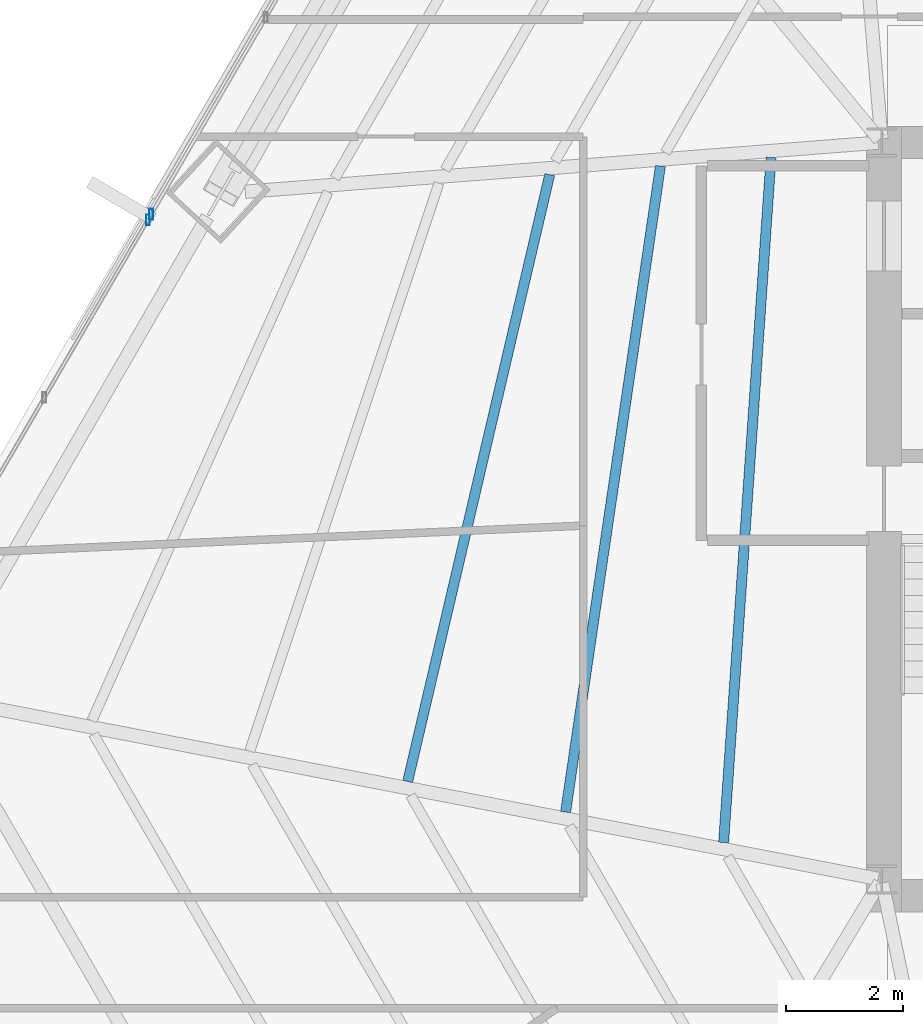
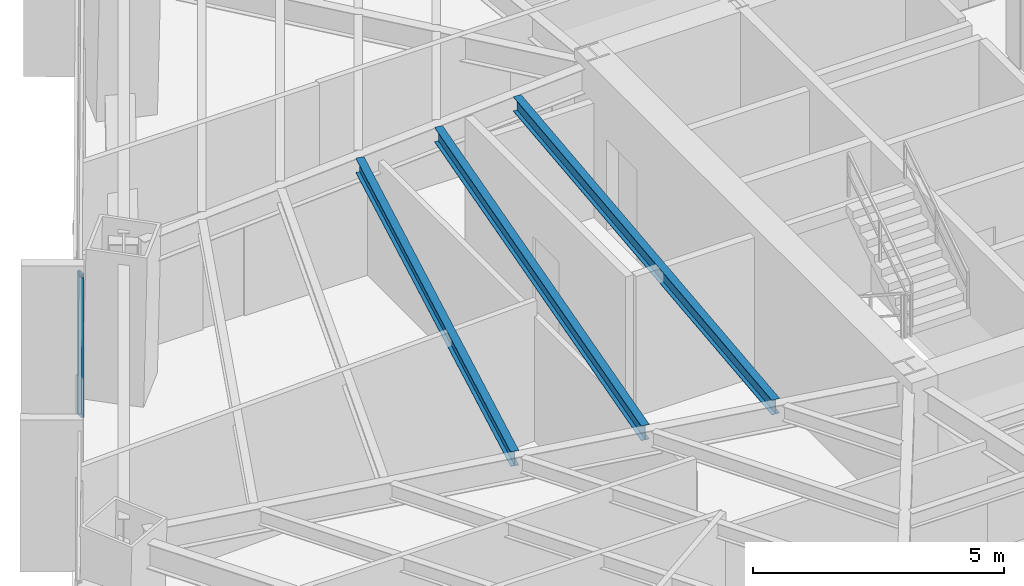
# One storey, part 9 of 33: 3 beams, 2 members, 2 elements without a shape of their own.
"""IFC4 building model written with IfcOpenShell, lengths in metres."""

import ifcopenshell
import ifcopenshell.guid

model = None  # the IFC model being written
_history = None  # IfcOwnerHistory: only IFC2X3 demands one
_inside = {}  # id of a spatial element -> (the spatial element, [elements in it])
_under = {}  # id of a project, library or spatial element -> (it, [spatial elements below it])
_declared = {}  # id of a project -> (the project, [libraries it declares])
_typed = {}  # id of a type object -> (the type object, [elements of that type])
_made_of = {}  # id of a material, layer set ... -> (it, [elements and type objects made of it])


def new_model(schema):
    """Start an empty IFC model of exactly this schema.

    Asked for "IFC4X3", IfcOpenShell would pick the latest addendum, in which some entities
    have other attributes; the version numbers below select the first issue.
    IFC2X3 requires an IfcOwnerHistory on every rooted entity: one is made here for all.
    """
    global model, _history
    if schema == "IFC4X3":
        model = ifcopenshell.file(schema_version=(4, 3, 0, 0))
    else:
        model = ifcopenshell.file(schema=schema)
    _inside.clear()
    _under.clear()
    _declared.clear()
    _typed.clear()
    _made_of.clear()
    _history = None
    if model.schema == "IFC2X3":
        org = make("IfcOrganization", Name="unknown")
        user = make(
            "IfcPersonAndOrganization",
            ThePerson=make("IfcPerson", FamilyName="unknown"),
            TheOrganization=org,
        )
        app = make(
            "IfcApplication",
            ApplicationDeveloper=org,
            Version="unknown",
            ApplicationFullName="unknown",
            ApplicationIdentifier="unknown",
        )
        _history = make(
            "IfcOwnerHistory",
            OwningUser=user,
            OwningApplication=app,
            ChangeAction="ADDED",
            CreationDate=0,
        )
    return model


def make(cls, **values):
    """One entity of the class cls with the attributes given. An attribute that is None is left unset."""
    return model.create_entity(
        cls, **{name: value for name, value in values.items() if value is not None}
    )


def rooted(cls, **values):
    """An entity with a GlobalId (a new one), such as an element, a storey or a relation."""
    return make(cls, GlobalId=ifcopenshell.guid.new(), OwnerHistory=_history, **values)


def si_unit(unit_type, name, prefix=None):
    """IfcSIUnit, for example si_unit("LENGTHUNIT", "METRE", prefix="MILLI")."""
    return make("IfcSIUnit", UnitType=unit_type, Prefix=prefix, Name=name)


def assignment(units):
    """IfcUnitAssignment: the units of a project."""
    return None if units is None else make("IfcUnitAssignment", Units=units)


def point(xyz):
    """IfcCartesianPoint."""
    return None if xyz is None else make("IfcCartesianPoint", Coordinates=xyz)


def direction(xyz):
    """IfcDirection."""
    return None if xyz is None else make("IfcDirection", DirectionRatios=xyz)


def frame(location, z_axis=None, x_axis=None):
    """IfcAxis2Placement3D, a coordinate frame: its origin and axes. An axis left out is left unset."""
    return make(
        "IfcAxis2Placement3D",
        Location=point(location),
        Axis=direction(z_axis),
        RefDirection=direction(x_axis),
    )


def frame_2d(location, x_axis=None):
    """IfcAxis2Placement2D, a coordinate frame in the plane: its origin and x axis."""
    return make(
        "IfcAxis2Placement2D", Location=point(location), RefDirection=direction(x_axis)
    )


def origin():
    """The frame at (0, 0, 0) with its axes left unset."""
    return frame((0.0, 0.0, 0.0))


def origin_2d():
    """The frame at (0, 0) in the plane with its x axis left unset."""
    return frame_2d((0.0, 0.0))


def place(relative_to, where):
    """IfcLocalPlacement: puts the frame where relative to a parent placement (None: the world)."""
    return make(
        "IfcLocalPlacement", PlacementRelTo=relative_to, RelativePlacement=where
    )


def context(
    kind, dimensions, precision=None, world=None, true_north=None, identifier=None
):
    """IfcGeometricRepresentationContext, for example the 3D "Model" context."""
    return make(
        "IfcGeometricRepresentationContext",
        ContextIdentifier=identifier,
        ContextType=kind,
        CoordinateSpaceDimension=dimensions,
        Precision=precision,
        WorldCoordinateSystem=world,
        TrueNorth=true_north,
    )


def subcontext(parent, identifier, kind, view, scale=None):
    """IfcGeometricRepresentationSubContext, for example "Body" below "Model"."""
    return make(
        "IfcGeometricRepresentationSubContext",
        ContextIdentifier=identifier,
        ContextType=kind,
        ParentContext=parent,
        TargetScale=scale,
        TargetView=view,
    )


def project(units=None, contexts=None):
    """IfcProject with its units and contexts."""
    return rooted(
        "IfcProject",
        Name="project",
        RepresentationContexts=contexts,
        UnitsInContext=assignment(units),
    )


def spatial(cls, under=None, at=None, **own):
    """A site, building, storey or space (cls), placed at a placement, below another one or the project."""
    s = rooted(cls, ObjectPlacement=at, **own)
    if under is not None:
        _under.setdefault(under.id(), (under, []))[1].append(s)
    return s


def profile(cls, at=None, kind="AREA", **sizes):
    """A parametric profile (cls). Its sizes go by their IFC names, for example OverallWidth=200.0."""
    return make(cls, ProfileType=kind, Position=at, **sizes)


def hollow_rectangle(**sizes):
    """IfcRectangleHollowProfileDef."""
    return profile("IfcRectangleHollowProfileDef", **sizes)


def i_section(**sizes):
    """IfcIShapeProfileDef."""
    return profile("IfcIShapeProfileDef", **sizes)


def extrude(swept, where, along, depth):
    """IfcExtrudedAreaSolid: the profile swept, set in the frame where, extruded along a direction by depth."""
    return make(
        "IfcExtrudedAreaSolid",
        SweptArea=swept,
        Position=where,
        ExtrudedDirection=direction(along),
        Depth=depth,
    )


def shape(context_of_items, identifier, shape_type, items):
    """IfcShapeRepresentation: the items that make up one representation, for example the "Body"."""
    return make(
        "IfcShapeRepresentation",
        ContextOfItems=context_of_items,
        RepresentationIdentifier=identifier,
        RepresentationType=shape_type,
        Items=items,
    )


def source(mapping_origin, context_of_items, identifier, shape_type, items):
    """IfcRepresentationMap: a shape defined once, which mapped items show again and again."""
    return make(
        "IfcRepresentationMap",
        MappingOrigin=mapping_origin,
        MappedRepresentation=shape(context_of_items, identifier, shape_type, items),
    )


def transform(
    local_origin,
    x_axis=None,
    y_axis=None,
    z_axis=None,
    scale=None,
    scale2=None,
    scale3=None,
    uniform=True,
):
    """IfcCartesianTransformationOperator3D, or its non-uniform kind. x_axis, y_axis, z_axis: its Axis1, 2, 3."""
    if uniform:
        return make(
            "IfcCartesianTransformationOperator3D",
            Axis1=direction(x_axis),
            Axis2=direction(y_axis),
            LocalOrigin=point(local_origin),
            Scale=scale,
            Axis3=direction(z_axis),
        )
    return make(
        "IfcCartesianTransformationOperator3DnonUniform",
        Axis1=direction(x_axis),
        Axis2=direction(y_axis),
        LocalOrigin=point(local_origin),
        Scale=scale,
        Axis3=direction(z_axis),
        Scale2=scale2,
        Scale3=scale3,
    )


def mapped(mapping_source, mapping_target):
    """IfcMappedItem: shows the shape of a source again, moved by a transform."""
    return make(
        "IfcMappedItem", MappingSource=mapping_source, MappingTarget=mapping_target
    )


def material(Name=None, Category=None):
    """IfcMaterial."""
    return make("IfcMaterial", Name=Name, Category=Category)


def material_profile(
    of_material, cross_section, Name=None, Category=None, Priority=None
):
    """IfcMaterialProfile: a cross section and its material."""
    return make(
        "IfcMaterialProfile",
        Name=Name,
        Material=of_material,
        Profile=cross_section,
        Priority=Priority,
        Category=Category,
    )


def profile_set(profiles, Name=None, composite=None):
    """IfcMaterialProfileSet."""
    return make(
        "IfcMaterialProfileSet",
        Name=Name,
        MaterialProfiles=profiles,
        CompositeProfile=composite,
    )


def made_of(thing, what):
    """Note that an element or type object is made of a material, layer set ...; save() writes the relation."""
    if what is not None:
        _made_of.setdefault(what.id(), (what, []))[1].append(thing)
    return thing


def type_object(cls, material=None, **own):
    """A type object (cls), such as IfcWallType, which elements share."""
    return made_of(rooted(cls, **own), material)


def type_shapes(of_type, sources):
    """Give a type object the sources (RepresentationMaps) that its elements show as mapped items."""
    of_type.RepresentationMaps = sources


def element(
    cls,
    number,
    at=None,
    inside=None,
    cuts=None,
    type_object=None,
    material=None,
    context=None,
    identifier="Body",
    shape_type=None,
    held_by="IfcProductDefinitionShape",
    body=None,
    shapes=None,
    **own,
):
    """One element of the class cls, such as IfcWall. Its Tag is "e" and its number.

    at: its placement. inside: the storey or other place that contains it. cuts: it is an
    opening in that element (IfcRelVoidsElement). A single representation is given by context,
    identifier, shape_type and body (its items); several are given by shapes. held_by: the class
    of the entity that holds the representations. save() writes the other relations.
    """
    e = rooted(cls, Tag="e%d" % number, ObjectPlacement=at, **own)
    if body is not None:
        shapes = [shape(context, identifier, shape_type, body)]
    if shapes is not None:
        e.Representation = make(held_by, Representations=shapes)
    if inside is not None:
        _inside.setdefault(inside.id(), (inside, []))[1].append(e)
    if cuts is not None:
        rooted(
            "IfcRelVoidsElement", RelatingBuildingElement=cuts, RelatedOpeningElement=e
        )
    if type_object is not None:
        _typed.setdefault(type_object.id(), (type_object, []))[1].append(e)
    return made_of(e, material)


def aggregate(whole, parts):
    """IfcRelAggregates: a whole, such as a stair, and the parts it consists of."""
    return rooted("IfcRelAggregates", RelatingObject=whole, RelatedObjects=parts)


def save(model, path):
    """Write the relations noted so far, then the file.

    IfcRelAggregates (storeys below a building ...), IfcRelContainedInSpatialStructure (elements
    in a storey), IfcRelDefinesByType, IfcRelAssociatesMaterial and IfcRelDeclares: one each for
    every whole, place, type object, material and project.
    """
    for whole, parts in _under.values():
        aggregate(whole, parts)
    for where, things in _inside.values():
        rooted(
            "IfcRelContainedInSpatialStructure",
            RelatedElements=things,
            RelatingStructure=where,
        )
    for kind, things in _typed.values():
        rooted("IfcRelDefinesByType", RelatedObjects=things, RelatingType=kind)
    for what, things in _made_of.values():
        rooted("IfcRelAssociatesMaterial", RelatedObjects=things, RelatingMaterial=what)
    for by, libraries in _declared.values():
        rooted("IfcRelDeclares", RelatingContext=by, RelatedDefinitions=libraries)
    model.write(path)


model = new_model("IFC4")

# Units and contexts
model_context = context("Model", 3, precision=1e-05, world=origin(), true_north=direction((0.0, 1.0)))
body_context = subcontext(model_context, "Body", "Model", "MODEL_VIEW")
ifc_project = project(units=[si_unit("LENGTHUNIT", "METRE"), si_unit("AREAUNIT", "SQUARE_METRE"), si_unit("VOLUMEUNIT", "CUBIC_METRE"), si_unit("PLANEANGLEUNIT", "RADIAN"), si_unit("MASSUNIT", "GRAM", prefix="KILO")], contexts=[model_context])

# Site, building, storey
site_placement = place(None, origin())
site = spatial("IfcSite", under=ifc_project, at=site_placement, CompositionType="ELEMENT")
building_placement = place(site_placement, origin())
building = spatial("IfcBuilding", under=site, at=building_placement, Name="Caelisora Broadcast Tower", CompositionType="ELEMENT")
storey_placement = place(building_placement, frame((0.0, 0.0, 42.199951171875)))
storey = spatial("IfcBuildingStorey", under=building, at=storey_placement, Name="L10", CompositionType="ELEMENT", Elevation=42.199951171875)

# Beams
ifc_material_1 = material(Name="Steel Grade 350 (AS/NZS 3679.1)", Category="steel")
ifc_material_profile_1 = material_profile(ifc_material_1, i_section(OverallWidth=0.172119140625, OverallDepth=0.358642578125, WebThickness=0.008056640625, FlangeThickness=0.012939453125, at=origin_2d()), Name="Steel Grade 350 (AS/NZS 3679.1)")
ifc_profile_set_1 = profile_set([ifc_material_profile_1], Name="Steel Grade 350 (AS/NZS 3679.1)")
beam_type = type_object("IfcBeamType", Name="SB02", PredefinedType="JOIST", material=ifc_profile_set_1)
shared_shape_1 = source(origin(), body_context, "Body", "SweptSolid", [
    extrude(i_section(OverallWidth=0.172119140625, OverallDepth=0.358642578125, WebThickness=0.008056640625, FlangeThickness=0.012939453125, at=origin_2d()), origin(), (0.0, 0.0, 1.0), 11.736328125),
])
beam_1_placement = place(storey_placement, frame((28.60986328125, 29.7421875, 3.220703125), z_axis=(-0.069104790715, -0.997609406481, 0.0), x_axis=(0.997609406481, -0.069104790715, 0.0)))
element("IfcBeam", 1, at=beam_1_placement, inside=storey, type_object=beam_type, Name="L10 beam SB02", PredefinedType="JOIST", context=body_context, shape_type="MappedRepresentation", body=[
    mapped(shared_shape_1, transform((0.0, 0.0, 0.0), scale=1.0)),
])
shared_shape_2 = source(origin(), body_context, "Body", "SweptSolid", [
    extrude(i_section(OverallWidth=0.172119140625, OverallDepth=0.358642578125, WebThickness=0.008056640625, FlangeThickness=0.012939453125, at=origin_2d()), origin(), (0.0, 0.0, 1.0), 11.1591796875),
])
beam_2_placement = place(storey_placement, frame((26.71875, 29.595458984375, 3.220703125), z_axis=(-0.145227556419, -0.989398280197, 0.0), x_axis=(0.989398280197, -0.145227556419, 0.0)))
element("IfcBeam", 2, at=beam_2_placement, inside=storey, type_object=beam_type, Name="L10 beam SB02", PredefinedType="JOIST", context=body_context, shape_type="MappedRepresentation", body=[
    mapped(shared_shape_2, transform((0.0, 0.0, 0.0), scale=1.0)),
])
shared_shape_3 = source(origin(), body_context, "Body", "SweptSolid", [
    extrude(i_section(OverallWidth=0.172119140625, OverallDepth=0.358642578125, WebThickness=0.008056640625, FlangeThickness=0.012939453125, at=origin_2d()), origin(), (0.0, 0.0, 1.0), 10.6533203125),
])
type_shapes(beam_type, [shared_shape_1, shared_shape_2, shared_shape_3])
beam_3_placement = place(storey_placement, frame((24.826416015625, 29.448486328125, 3.220703125), z_axis=(-0.227906193889, -0.973683093613, 0.0), x_axis=(0.973683093613, -0.227906193889, 0.0)))
element("IfcBeam", 3, at=beam_3_placement, inside=storey, type_object=beam_type, Name="L10 beam SB02", PredefinedType="JOIST", context=body_context, shape_type="MappedRepresentation", body=[
    mapped(shared_shape_3, transform((0.0, 0.0, 0.0), scale=1.0)),
])

# Curtain wall, member
ifc_material_2 = material(Name="Unitised Aluminium and Low-E Glass Curtain Wall", Category="glass")
curtain_wall_type_1 = type_object("IfcCurtainWallType", Name="CW-Z1", PredefinedType="NOTDEFINED", material=ifc_material_2)
curtain_wall_1_placement = place(storey_placement, origin())
curtain_wall_1 = element("IfcCurtainWall", 4, at=curtain_wall_1_placement, inside=storey, type_object=curtain_wall_type_1, Name="L10 curtain wall CW-Z1", PredefinedType="NOTDEFINED")
ifc_material_3 = material(Name="Aluminium 6063-T6 Anodised Terracotta Bronze", Category="aluminium")
ifc_material_profile_2 = material_profile(ifc_material_3, hollow_rectangle(XDim=0.06494140625, YDim=0.179931640625, WallThickness=0.00341796875, at=origin_2d()), Name="Aluminium 6063-T6 Anodised Terracotta Bronze")
ifc_profile_set_2 = profile_set([ifc_material_profile_2], Name="Aluminium 6063-T6 Anodised Terracotta Bronze")
member_type = type_object("IfcMemberType", Name="CWM-02", PredefinedType="MULLION", material=ifc_profile_set_2)
shared_shape_4 = source(origin(), body_context, "Body", "SweptSolid", [
    extrude(hollow_rectangle(XDim=0.06494140625, YDim=0.179931640625, WallThickness=0.00341796875, at=origin_2d()), origin(), (0.0, 0.0, 1.0), 3.400146484375),
])
type_shapes(member_type, [shared_shape_4])
member_1_placement = place(storey_placement, frame((17.958984375, 28.677001953125, 0.0), z_axis=(0.0, 0.0, 1.0), x_axis=(1.0, 0.0, 0.0)))
member_1 = element("IfcMember", 5, at=member_1_placement, type_object=member_type, Name="L10-CW-B09 mullion #3", PredefinedType="MULLION", context=body_context, shape_type="MappedRepresentation", body=[
    mapped(shared_shape_4, transform((0.0, 0.0, 0.0), scale=1.0)),
])
aggregate(curtain_wall_1, [member_1])

ifc_material_4 = material(Name="Unitised Aluminium Insulated Shadow-Box Spandrel Curtain Wall", Category="aluminium")
curtain_wall_type_2 = type_object("IfcCurtainWallType", Name="CW-SP1", PredefinedType="NOTDEFINED", material=ifc_material_4)
curtain_wall_2_placement = place(storey_placement, origin())
curtain_wall_2 = element("IfcCurtainWall", 6, at=curtain_wall_2_placement, inside=storey, type_object=curtain_wall_type_2, Name="L10 curtain wall CW-SP1", PredefinedType="NOTDEFINED")
member_2_placement = place(storey_placement, frame((18.014404296875, 28.772216796875, 0.0), z_axis=(0.0, 0.0, 1.0), x_axis=(1.0, 0.0, 0.0)))
member_2 = element("IfcMember", 7, at=member_2_placement, type_object=member_type, Name="L10-CW-B10 mullion #0", PredefinedType="MULLION", context=body_context, shape_type="MappedRepresentation", body=[
    mapped(shared_shape_4, transform((0.0, 0.0, 0.0), scale=1.0)),
])
aggregate(curtain_wall_2, [member_2])

save(model, "model.ifc")
